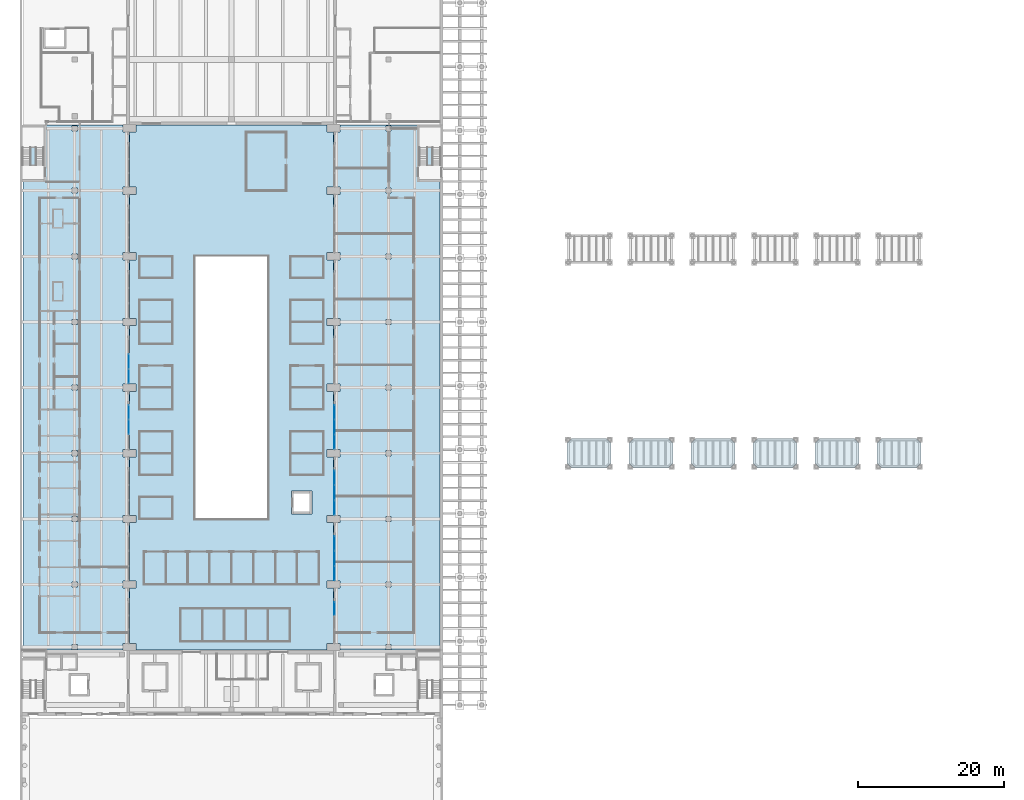
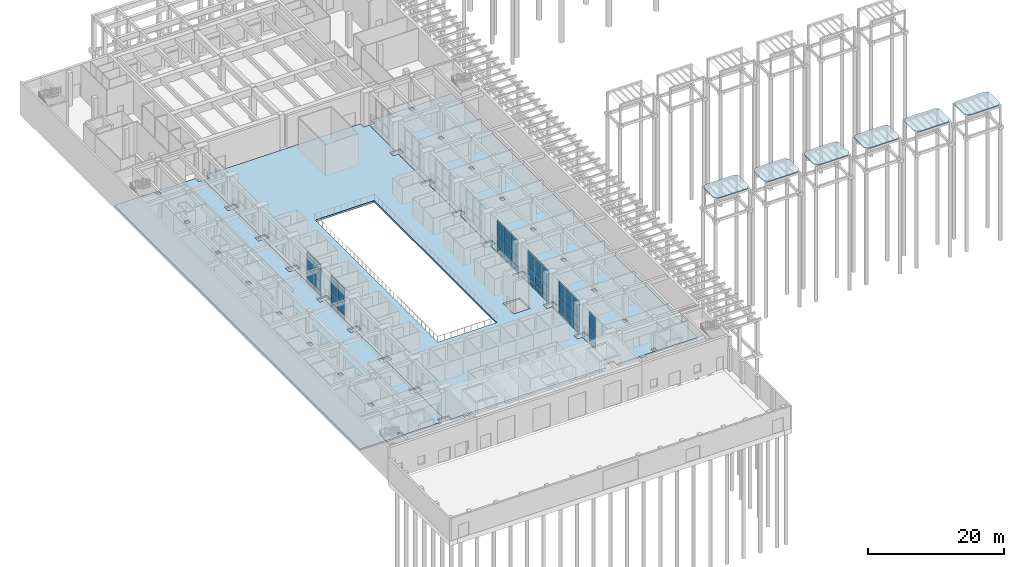
# One storey, part 25 of 51: 42 plates, 9 slabs, 6 elements without a shape of their own.
"""IFC4 building model written with IfcOpenShell, lengths in metres."""

from ifc_helpers import new_model, si_unit, direction, frame, origin, origin_2d, place, context, subcontext, project, spatial, polyline, rectangle, outline, extrude, material, layer, layer_set, type_object, element, aggregate, save


model = new_model("IFC4")

# Units and contexts
model_context = context("Model", 3, precision=1e-05, world=origin(), true_north=direction((0.0, 1.0)))
body_context = subcontext(model_context, "Body", "Model", "MODEL_VIEW")
ifc_project = project(units=[si_unit("LENGTHUNIT", "METRE"), si_unit("AREAUNIT", "SQUARE_METRE"), si_unit("VOLUMEUNIT", "CUBIC_METRE"), si_unit("PLANEANGLEUNIT", "RADIAN"), si_unit("MASSUNIT", "GRAM", prefix="KILO")], contexts=[model_context])

# Site, building, storey
site_placement = place(None, origin())
site = spatial("IfcSite", under=ifc_project, at=site_placement, CompositionType="ELEMENT")
building_placement = place(site_placement, origin())
building = spatial("IfcBuilding", under=site, at=building_placement, Name="Elmora Arch Market Hall", CompositionType="ELEMENT")
storey_placement = place(building_placement, origin())
storey = spatial("IfcBuildingStorey", under=building, at=storey_placement, Name="L00", CompositionType="ELEMENT", Elevation=0.0)

# Slabs
ifc_material_1 = material(Name="Concrete C32/40", Category="concrete")
ifc_layer_1 = layer(ifc_material_1, 0.14990234375)
ifc_layer_set_1 = layer_set([ifc_layer_1], Name="Concrete C32/40")
slab_type_1 = type_object("IfcSlabType", Name="Canopy slab 150", PredefinedType="ROOF", material=ifc_layer_set_1)
slab_1_placement = place(storey_placement, frame((0.0, 0.0, 3.35009765625)))
element("IfcSlab", 1, at=slab_1_placement, inside=storey, type_object=slab_type_1, Name="Stall canopy plate", PredefinedType="ROOF", context=body_context, shape_type="SweptSolid", body=[
    extrude(outline(polyline([(75.0, 52.60009765625), (75.0, 55.39990234375), (75.60009765625, 56.0), (80.39990234375, 56.0), (81.0, 55.39990234375), (81.0, 52.60009765625), (80.39990234375, 52.0), (75.60009765625, 52.0), (75.0, 52.60009765625)])), origin(), (0.0, 0.0, 1.0), 0.14990234375),
])
slab_2_placement = place(storey_placement, frame((0.0, 0.0, 3.35009765625)))
element("IfcSlab", 2, at=slab_2_placement, inside=storey, type_object=slab_type_1, Name="Stall canopy plate", PredefinedType="ROOF", context=body_context, shape_type="SweptSolid", body=[
    extrude(outline(polyline([(83.5, 52.60009765625), (83.5, 55.39990234375), (84.10009765625, 56.0), (88.89990234375, 56.0), (89.5, 55.39990234375), (89.5, 52.60009765625), (88.89990234375, 52.0), (84.10009765625, 52.0), (83.5, 52.60009765625)])), origin(), (0.0, 0.0, 1.0), 0.14990234375),
])
slab_3_placement = place(storey_placement, frame((0.0, 0.0, 3.35009765625)))
element("IfcSlab", 3, at=slab_3_placement, inside=storey, type_object=slab_type_1, Name="Stall canopy plate", PredefinedType="ROOF", context=body_context, shape_type="SweptSolid", body=[
    extrude(outline(polyline([(92.0, 52.60009765625), (92.0, 55.39990234375), (92.60009765625, 56.0), (97.39990234375, 56.0), (98.0, 55.39990234375), (98.0, 52.60009765625), (97.39990234375, 52.0), (92.60009765625, 52.0), (92.0, 52.60009765625)])), origin(), (0.0, 0.0, 1.0), 0.14990234375),
])
slab_4_placement = place(storey_placement, frame((0.0, 0.0, 3.35009765625)))
element("IfcSlab", 4, at=slab_4_placement, inside=storey, type_object=slab_type_1, Name="Stall canopy plate", PredefinedType="ROOF", context=body_context, shape_type="SweptSolid", body=[
    extrude(outline(polyline([(100.5, 52.60009765625), (100.5, 55.39990234375), (101.10009765625, 56.0), (105.89990234375, 56.0), (106.5, 55.39990234375), (106.5, 52.60009765625), (105.89990234375, 52.0), (101.10009765625, 52.0), (100.5, 52.60009765625)])), origin(), (0.0, 0.0, 1.0), 0.14990234375),
])
slab_5_placement = place(storey_placement, frame((0.0, 0.0, 3.35009765625)))
element("IfcSlab", 5, at=slab_5_placement, inside=storey, type_object=slab_type_1, Name="Stall canopy plate", PredefinedType="ROOF", context=body_context, shape_type="SweptSolid", body=[
    extrude(outline(polyline([(109.0, 52.60009765625), (109.0, 55.39990234375), (109.60009765625, 56.0), (114.39990234375, 56.0), (115.0, 55.39990234375), (115.0, 52.60009765625), (114.39990234375, 52.0), (109.60009765625, 52.0), (109.0, 52.60009765625)])), origin(), (0.0, 0.0, 1.0), 0.14990234375),
])
slab_6_placement = place(storey_placement, frame((0.0, 0.0, 3.35009765625)))
element("IfcSlab", 6, at=slab_6_placement, inside=storey, type_object=slab_type_1, Name="Stall canopy plate", PredefinedType="ROOF", context=body_context, shape_type="SweptSolid", body=[
    extrude(outline(polyline([(117.5, 52.60009765625), (117.5, 55.39990234375), (118.10009765625, 56.0), (122.89990234375, 56.0), (123.5, 55.39990234375), (123.5, 52.60009765625), (122.89990234375, 52.0), (118.10009765625, 52.0), (117.5, 52.60009765625)])), origin(), (0.0, 0.0, 1.0), 0.14990234375),
])
ifc_material_2 = material(Name="Concrete C32/40", Category="concrete")
ifc_layer_2 = layer(ifc_material_2, 0.300048828125)
ifc_layer_set_2 = layer_set([ifc_layer_2], Name="Concrete C32/40")
slab_type_2 = type_object("IfcSlabType", Name="Floor slab 300", PredefinedType="FLOOR", material=ifc_layer_set_2)
slab_7_placement = place(storey_placement, frame((0.0, 0.0, -0.300048828125)))
element("IfcSlab", 7, at=slab_7_placement, inside=storey, type_object=slab_type_2, Name="L00 floor slab WW", PredefinedType="FLOOR", context=body_context, shape_type="SweptSolid", body=[
    extrude(outline(polyline([(15.0, 27.950927734375), (14.09912109375, 27.950927734375), (14.09912109375, 27.0), (0.40087890625, 27.0), (0.40087890625, 99.0), (14.09912109375, 99.0), (14.09912109375, 98.049072265625), (15.0, 98.049072265625), (15.0, 90.5009765625), (14.09912109375, 90.5009765625), (14.09912109375, 89.4990234375), (15.0, 89.4990234375), (15.0, 81.5009765625), (14.09912109375, 81.5009765625), (14.09912109375, 80.4990234375), (15.0, 80.4990234375), (15.0, 72.5009765625), (14.09912109375, 72.5009765625), (14.09912109375, 71.4990234375), (15.0, 71.4990234375), (15.0, 63.5009765625), (14.09912109375, 63.5009765625), (14.09912109375, 62.4990234375), (15.0, 62.4990234375), (15.0, 54.5009765625), (14.09912109375, 54.5009765625), (14.09912109375, 53.4990234375), (15.0, 53.4990234375), (15.0, 45.5009765625), (14.09912109375, 45.5009765625), (14.09912109375, 44.4990234375), (15.0, 44.4990234375), (15.0, 36.5009765625), (14.09912109375, 36.5009765625), (14.09912109375, 35.4990234375), (15.0, 35.4990234375), (15.0, 27.950927734375)]), holes=[polyline([(7.85107421875, 36.35107421875), (7.14892578125, 36.35107421875), (7.14892578125, 35.64892578125), (7.85107421875, 35.64892578125), (7.85107421875, 36.35107421875)]), polyline([(7.85107421875, 27.801025390625), (7.14892578125, 27.801025390625), (7.14892578125, 27.09912109375), (7.85107421875, 27.09912109375), (7.85107421875, 27.801025390625)]), polyline([(7.14892578125, 98.90087890625), (7.14892578125, 98.198974609375), (7.85107421875, 98.198974609375), (7.85107421875, 98.90087890625), (7.14892578125, 98.90087890625)]), polyline([(7.85107421875, 90.35107421875), (7.14892578125, 90.35107421875), (7.14892578125, 89.64892578125), (7.85107421875, 89.64892578125), (7.85107421875, 90.35107421875)]), polyline([(7.85107421875, 81.35107421875), (7.14892578125, 81.35107421875), (7.14892578125, 80.64892578125), (7.85107421875, 80.64892578125), (7.85107421875, 81.35107421875)]), polyline([(7.85107421875, 72.35107421875), (7.14892578125, 72.35107421875), (7.14892578125, 71.64892578125), (7.85107421875, 71.64892578125), (7.85107421875, 72.35107421875)]), polyline([(7.85107421875, 63.35107421875), (7.14892578125, 63.35107421875), (7.14892578125, 62.64892578125), (7.85107421875, 62.64892578125), (7.85107421875, 63.35107421875)]), polyline([(7.85107421875, 54.35107421875), (7.14892578125, 54.35107421875), (7.14892578125, 53.64892578125), (7.85107421875, 53.64892578125), (7.85107421875, 54.35107421875)]), polyline([(7.85107421875, 45.35107421875), (7.14892578125, 45.35107421875), (7.14892578125, 44.64892578125), (7.85107421875, 44.64892578125), (7.85107421875, 45.35107421875)])]), origin(), (0.0, 0.0, 1.0), 0.300048828125),
])
slab_8_placement = place(storey_placement, frame((0.0, 0.0, -0.300048828125)))
element("IfcSlab", 8, at=slab_8_placement, inside=storey, type_object=slab_type_2, Name="L00 floor slab EW", PredefinedType="FLOOR", context=body_context, shape_type="SweptSolid", body=[
    extrude(outline(polyline([(57.59912109375, 99.0), (57.59912109375, 27.0), (43.90087890625, 27.0), (43.90087890625, 27.950927734375), (43.0, 27.950927734375), (43.0, 35.4990234375), (43.90087890625, 35.4990234375), (43.90087890625, 36.5009765625), (43.0, 36.5009765625), (43.0, 44.4990234375), (43.90087890625, 44.4990234375), (43.90087890625, 45.5009765625), (43.0, 45.5009765625), (43.0, 53.4990234375), (43.90087890625, 53.4990234375), (43.90087890625, 54.5009765625), (43.0, 54.5009765625), (43.0, 62.4990234375), (43.90087890625, 62.4990234375), (43.90087890625, 63.5009765625), (43.0, 63.5009765625), (43.0, 71.4990234375), (43.90087890625, 71.4990234375), (43.90087890625, 72.5009765625), (43.0, 72.5009765625), (43.0, 80.4990234375), (43.90087890625, 80.4990234375), (43.90087890625, 81.5009765625), (43.0, 81.5009765625), (43.0, 89.4990234375), (43.90087890625, 89.4990234375), (43.90087890625, 90.5009765625), (43.0, 90.5009765625), (43.0, 98.049072265625), (43.90087890625, 98.049072265625), (43.90087890625, 99.0), (57.59912109375, 99.0)]), holes=[polyline([(50.85107421875, 27.801025390625), (50.14892578125, 27.801025390625), (50.14892578125, 27.09912109375), (50.85107421875, 27.09912109375), (50.85107421875, 27.801025390625)]), polyline([(50.85107421875, 36.35107421875), (50.14892578125, 36.35107421875), (50.14892578125, 35.64892578125), (50.85107421875, 35.64892578125), (50.85107421875, 36.35107421875)]), polyline([(50.85107421875, 45.35107421875), (50.14892578125, 45.35107421875), (50.14892578125, 44.64892578125), (50.85107421875, 44.64892578125), (50.85107421875, 45.35107421875)]), polyline([(50.85107421875, 54.35107421875), (50.14892578125, 54.35107421875), (50.14892578125, 53.64892578125), (50.85107421875, 53.64892578125), (50.85107421875, 54.35107421875)]), polyline([(50.85107421875, 63.35107421875), (50.14892578125, 63.35107421875), (50.14892578125, 62.64892578125), (50.85107421875, 62.64892578125), (50.85107421875, 63.35107421875)]), polyline([(50.85107421875, 81.35107421875), (50.14892578125, 81.35107421875), (50.14892578125, 80.64892578125), (50.85107421875, 80.64892578125), (50.85107421875, 81.35107421875)]), polyline([(50.85107421875, 90.35107421875), (50.14892578125, 90.35107421875), (50.14892578125, 89.64892578125), (50.85107421875, 89.64892578125), (50.85107421875, 90.35107421875)]), polyline([(50.85107421875, 72.35107421875), (50.14892578125, 72.35107421875), (50.14892578125, 71.64892578125), (50.85107421875, 71.64892578125), (50.85107421875, 72.35107421875)]), polyline([(50.85107421875, 98.90087890625), (50.14892578125, 98.90087890625), (50.14892578125, 98.198974609375), (50.85107421875, 98.198974609375), (50.85107421875, 98.90087890625)])]), origin(), (0.0, 0.0, 1.0), 0.300048828125),
])
ifc_material_3 = material(Name="Concrete C32/40", Category="concrete")
ifc_layer_3 = layer(ifc_material_3, 0.35009765625)
ifc_layer_set_3 = layer_set([ifc_layer_3], Name="Concrete C32/40")
slab_type_3 = type_object("IfcSlabType", Name="Floor slab 350", PredefinedType="FLOOR", material=ifc_layer_set_3)
slab_9_placement = place(storey_placement, frame((0.0, 0.0, -0.35009765625)))
element("IfcSlab", 9, at=slab_9_placement, inside=storey, type_object=slab_type_3, Name="L00 floor slab HALL", PredefinedType="FLOOR", context=body_context, shape_type="SweptSolid", body=[
    extrude(outline(polyline([(43.0, 27.950927734375), (42.09912109375, 27.950927734375), (42.09912109375, 27.0), (15.90087890625, 27.0), (15.90087890625, 27.950927734375), (15.0, 27.950927734375), (15.0, 35.4990234375), (15.90087890625, 35.4990234375), (15.90087890625, 36.5009765625), (15.0, 36.5009765625), (15.0, 44.4990234375), (15.90087890625, 44.4990234375), (15.90087890625, 45.5009765625), (15.0, 45.5009765625), (15.0, 53.4990234375), (15.90087890625, 53.4990234375), (15.90087890625, 54.5009765625), (15.0, 54.5009765625), (15.0, 62.4990234375), (15.90087890625, 62.4990234375), (15.90087890625, 63.5009765625), (15.0, 63.5009765625), (15.0, 71.4990234375), (15.90087890625, 71.4990234375), (15.90087890625, 72.5009765625), (15.0, 72.5009765625), (15.0, 80.4990234375), (15.90087890625, 80.4990234375), (15.90087890625, 81.5009765625), (15.0, 81.5009765625), (15.0, 89.4990234375), (15.90087890625, 89.4990234375), (15.90087890625, 90.5009765625), (15.0, 90.5009765625), (15.0, 98.049072265625), (15.90087890625, 98.049072265625), (15.90087890625, 99.0), (42.09912109375, 99.0), (42.09912109375, 98.049072265625), (43.0, 98.049072265625), (43.0, 90.5009765625), (42.09912109375, 90.5009765625), (42.09912109375, 89.4990234375), (43.0, 89.4990234375), (43.0, 81.5009765625), (42.09912109375, 81.5009765625), (42.09912109375, 80.4990234375), (43.0, 80.4990234375), (43.0, 72.5009765625), (42.09912109375, 72.5009765625), (42.09912109375, 71.4990234375), (43.0, 71.4990234375), (43.0, 63.5009765625), (42.09912109375, 63.5009765625), (42.09912109375, 62.4990234375), (43.0, 62.4990234375), (43.0, 54.5009765625), (42.09912109375, 54.5009765625), (42.09912109375, 53.4990234375), (43.0, 53.4990234375), (43.0, 45.5009765625), (42.09912109375, 45.5009765625), (42.09912109375, 44.4990234375), (43.0, 44.4990234375), (43.0, 36.5009765625), (42.09912109375, 36.5009765625), (42.09912109375, 35.4990234375), (43.0, 35.4990234375), (43.0, 27.950927734375)]), holes=[polyline([(40.0009765625, 45.698974609375), (40.0009765625, 48.801025390625), (37.198974609375, 48.801025390625), (37.198974609375, 45.698974609375), (40.0009765625, 45.698974609375)]), polyline([(23.9990234375, 81.0009765625), (23.9990234375, 44.9990234375), (34.0009765625, 44.9990234375), (34.0009765625, 81.0009765625), (23.9990234375, 81.0009765625)])]), origin(), (0.0, 0.0, 1.0), 0.35009765625),
])

# Curtain wall, plates
ifc_material_4 = material(Name="Aluminium", Category="aluminium")
curtain_wall_type = type_object("IfcCurtainWallType", Name="Shopfront curtain wall", PredefinedType="NOTDEFINED", material=ifc_material_4)
curtain_wall_1_placement = place(storey_placement, origin())
curtain_wall_1 = element("IfcCurtainWall", 10, at=curtain_wall_1_placement, inside=storey, type_object=curtain_wall_type, Name="Shopfront W 4", PredefinedType="NOTDEFINED")
ifc_material_5 = material(Name="Glass", Category="glass")
ifc_layer_4 = layer(ifc_material_5, 0.035888671875)
ifc_layer_set_4 = layer_set([ifc_layer_4], Name="Glass")
plate_type = type_object("IfcPlateType", Name="Laminated glass panel 36", PredefinedType="CURTAIN_PANEL", material=ifc_layer_set_4)
plate_1_placement = place(storey_placement, frame((14.89990234375, 57.60009765625, 0.074951171875), z_axis=(0.0, 0.0, 1.0), x_axis=(0.0, 1.0, 0.0)))
plate_1 = element("IfcPlate", 11, at=plate_1_placement, type_object=plate_type, Name="CW3 panel 2.1", PredefinedType="CURTAIN_PANEL", context=body_context, shape_type="SweptSolid", body=[
    extrude(rectangle(XDim=1.966552734375, YDim=0.035888671875, at=origin_2d()), origin(), (0.0, 0.0, 1.0), 0.78759765625),
])
plate_2_placement = place(storey_placement, frame((14.89990234375, 57.60009765625, 0.9375), z_axis=(0.0, 0.0, 1.0), x_axis=(0.0, 1.0, 0.0)))
plate_2 = element("IfcPlate", 12, at=plate_2_placement, type_object=plate_type, Name="CW3 panel 2.2", PredefinedType="CURTAIN_PANEL", context=body_context, shape_type="SweptSolid", body=[
    extrude(rectangle(XDim=1.966552734375, YDim=0.035888671875, at=origin_2d()), origin(), (0.0, 0.0, 1.0), 1.72509765625),
])
plate_3_placement = place(storey_placement, frame((14.89990234375, 57.60009765625, 2.7373046875), z_axis=(0.0, 0.0, 1.0), x_axis=(0.0, 1.0, 0.0)))
plate_3 = element("IfcPlate", 13, at=plate_3_placement, type_object=plate_type, Name="CW3 panel 2.3", PredefinedType="CURTAIN_PANEL", context=body_context, shape_type="SweptSolid", body=[
    extrude(rectangle(XDim=1.966552734375, YDim=0.035888671875, at=origin_2d()), origin(), (0.0, 0.0, 1.0), 2.987548828125),
])
plate_4_placement = place(storey_placement, frame((14.89990234375, 59.6416015625, 0.074951171875), z_axis=(0.0, 0.0, 1.0), x_axis=(0.0, 1.0, 0.0)))
plate_4 = element("IfcPlate", 14, at=plate_4_placement, type_object=plate_type, Name="CW3 panel 3.1", PredefinedType="CURTAIN_PANEL", context=body_context, shape_type="SweptSolid", body=[
    extrude(rectangle(XDim=1.916748046875, YDim=0.035888671875, at=origin_2d()), origin(), (0.0, 0.0, 1.0), 0.78759765625),
])
plate_5_placement = place(storey_placement, frame((14.89990234375, 59.6416015625, 0.9375), z_axis=(0.0, 0.0, 1.0), x_axis=(0.0, 1.0, 0.0)))
plate_5 = element("IfcPlate", 15, at=plate_5_placement, type_object=plate_type, Name="CW3 panel 3.2", PredefinedType="CURTAIN_PANEL", context=body_context, shape_type="SweptSolid", body=[
    extrude(rectangle(XDim=1.916748046875, YDim=0.035888671875, at=origin_2d()), origin(), (0.0, 0.0, 1.0), 1.72509765625),
])
plate_6_placement = place(storey_placement, frame((14.89990234375, 59.6416015625, 2.7373046875), z_axis=(0.0, 0.0, 1.0), x_axis=(0.0, 1.0, 0.0)))
plate_6 = element("IfcPlate", 16, at=plate_6_placement, type_object=plate_type, Name="CW3 panel 3.3", PredefinedType="CURTAIN_PANEL", context=body_context, shape_type="SweptSolid", body=[
    extrude(rectangle(XDim=1.916748046875, YDim=0.035888671875, at=origin_2d()), origin(), (0.0, 0.0, 1.0), 2.987548828125),
])
aggregate(curtain_wall_1, [plate_1, plate_2, plate_3, plate_4, plate_5, plate_6])

curtain_wall_2_placement = place(storey_placement, origin())
curtain_wall_2 = element("IfcCurtainWall", 17, at=curtain_wall_2_placement, inside=storey, type_object=curtain_wall_type, Name="Shopfront W 5", PredefinedType="NOTDEFINED")
plate_7_placement = place(storey_placement, frame((14.89990234375, 64.558349609375, 0.074951171875), z_axis=(0.0, 0.0, 1.0), x_axis=(0.0, 1.0, 0.0)))
plate_7 = element("IfcPlate", 18, at=plate_7_placement, type_object=plate_type, Name="CW3 panel 1.1", PredefinedType="CURTAIN_PANEL", context=body_context, shape_type="SweptSolid", body=[
    extrude(rectangle(XDim=1.916748046875, YDim=0.035888671875, at=origin_2d()), origin(), (0.0, 0.0, 1.0), 0.78759765625),
])
plate_8_placement = place(storey_placement, frame((14.89990234375, 64.558349609375, 0.9375), z_axis=(0.0, 0.0, 1.0), x_axis=(0.0, 1.0, 0.0)))
plate_8 = element("IfcPlate", 19, at=plate_8_placement, type_object=plate_type, Name="CW3 panel 1.2", PredefinedType="CURTAIN_PANEL", context=body_context, shape_type="SweptSolid", body=[
    extrude(rectangle(XDim=1.916748046875, YDim=0.035888671875, at=origin_2d()), origin(), (0.0, 0.0, 1.0), 1.72509765625),
])
plate_9_placement = place(storey_placement, frame((14.89990234375, 64.558349609375, 2.7373046875), z_axis=(0.0, 0.0, 1.0), x_axis=(0.0, 1.0, 0.0)))
plate_9 = element("IfcPlate", 20, at=plate_9_placement, type_object=plate_type, Name="CW3 panel 1.3", PredefinedType="CURTAIN_PANEL", context=body_context, shape_type="SweptSolid", body=[
    extrude(rectangle(XDim=1.916748046875, YDim=0.035888671875, at=origin_2d()), origin(), (0.0, 0.0, 1.0), 2.987548828125),
])
plate_10_placement = place(storey_placement, frame((14.89990234375, 66.60009765625, 0.074951171875), z_axis=(0.0, 0.0, 1.0), x_axis=(0.0, 1.0, 0.0)))
plate_10 = element("IfcPlate", 21, at=plate_10_placement, type_object=plate_type, Name="CW3 panel 2.1", PredefinedType="CURTAIN_PANEL", context=body_context, shape_type="SweptSolid", body=[
    extrude(rectangle(XDim=1.966552734375, YDim=0.035888671875, at=origin_2d()), origin(), (0.0, 0.0, 1.0), 0.78759765625),
])
plate_11_placement = place(storey_placement, frame((14.89990234375, 66.60009765625, 0.9375), z_axis=(0.0, 0.0, 1.0), x_axis=(0.0, 1.0, 0.0)))
plate_11 = element("IfcPlate", 22, at=plate_11_placement, type_object=plate_type, Name="CW3 panel 2.2", PredefinedType="CURTAIN_PANEL", context=body_context, shape_type="SweptSolid", body=[
    extrude(rectangle(XDim=1.966552734375, YDim=0.035888671875, at=origin_2d()), origin(), (0.0, 0.0, 1.0), 1.72509765625),
])
plate_12_placement = place(storey_placement, frame((14.89990234375, 66.60009765625, 2.7373046875), z_axis=(0.0, 0.0, 1.0), x_axis=(0.0, 1.0, 0.0)))
plate_12 = element("IfcPlate", 23, at=plate_12_placement, type_object=plate_type, Name="CW3 panel 2.3", PredefinedType="CURTAIN_PANEL", context=body_context, shape_type="SweptSolid", body=[
    extrude(rectangle(XDim=1.966552734375, YDim=0.035888671875, at=origin_2d()), origin(), (0.0, 0.0, 1.0), 2.987548828125),
])
aggregate(curtain_wall_2, [plate_7, plate_8, plate_9, plate_10, plate_11, plate_12])

curtain_wall_3_placement = place(storey_placement, origin())
curtain_wall_3 = element("IfcCurtainWall", 24, at=curtain_wall_3_placement, inside=storey, type_object=curtain_wall_type, Name="Shopfront E 1", PredefinedType="NOTDEFINED")
plate_13_placement = place(storey_placement, frame((43.10009765625, 32.716552734375, 0.074951171875), z_axis=(0.0, 0.0, 1.0), x_axis=(0.0, 1.0, 0.0)))
plate_13 = element("IfcPlate", 25, at=plate_13_placement, type_object=plate_type, Name="CW3 panel 3.1", PredefinedType="CURTAIN_PANEL", context=body_context, shape_type="SweptSolid", body=[
    extrude(rectangle(XDim=1.7666015625, YDim=0.035888671875, at=origin_2d()), origin(), (0.0, 0.0, 1.0), 0.78759765625),
])
plate_14_placement = place(storey_placement, frame((43.10009765625, 32.716552734375, 0.9375), z_axis=(0.0, 0.0, 1.0), x_axis=(0.0, 1.0, 0.0)))
plate_14 = element("IfcPlate", 26, at=plate_14_placement, type_object=plate_type, Name="CW3 panel 3.2", PredefinedType="CURTAIN_PANEL", context=body_context, shape_type="SweptSolid", body=[
    extrude(rectangle(XDim=1.7666015625, YDim=0.035888671875, at=origin_2d()), origin(), (0.0, 0.0, 1.0), 1.72509765625),
])
plate_15_placement = place(storey_placement, frame((43.10009765625, 32.716552734375, 2.7373046875), z_axis=(0.0, 0.0, 1.0), x_axis=(0.0, 1.0, 0.0)))
plate_15 = element("IfcPlate", 27, at=plate_15_placement, type_object=plate_type, Name="CW3 panel 3.3", PredefinedType="CURTAIN_PANEL", context=body_context, shape_type="SweptSolid", body=[
    extrude(rectangle(XDim=1.7666015625, YDim=0.035888671875, at=origin_2d()), origin(), (0.0, 0.0, 1.0), 2.987548828125),
])
aggregate(curtain_wall_3, [plate_13, plate_14, plate_15])

curtain_wall_4_placement = place(storey_placement, origin())
curtain_wall_4 = element("IfcCurtainWall", 28, at=curtain_wall_4_placement, inside=storey, type_object=curtain_wall_type, Name="Shopfront E 2", PredefinedType="NOTDEFINED")
plate_16_placement = place(storey_placement, frame((43.10009765625, 37.558349609375, 0.074951171875), z_axis=(0.0, 0.0, 1.0), x_axis=(0.0, 1.0, 0.0)))
plate_16 = element("IfcPlate", 29, at=plate_16_placement, type_object=plate_type, Name="CW3 panel 1.1", PredefinedType="CURTAIN_PANEL", context=body_context, shape_type="SweptSolid", body=[
    extrude(rectangle(XDim=1.916748046875, YDim=0.035888671875, at=origin_2d()), origin(), (0.0, 0.0, 1.0), 0.78759765625),
])
plate_17_placement = place(storey_placement, frame((43.10009765625, 37.558349609375, 0.9375), z_axis=(0.0, 0.0, 1.0), x_axis=(0.0, 1.0, 0.0)))
plate_17 = element("IfcPlate", 30, at=plate_17_placement, type_object=plate_type, Name="CW3 panel 1.2", PredefinedType="CURTAIN_PANEL", context=body_context, shape_type="SweptSolid", body=[
    extrude(rectangle(XDim=1.916748046875, YDim=0.035888671875, at=origin_2d()), origin(), (0.0, 0.0, 1.0), 1.72509765625),
])
plate_18_placement = place(storey_placement, frame((43.10009765625, 37.558349609375, 2.7373046875), z_axis=(0.0, 0.0, 1.0), x_axis=(0.0, 1.0, 0.0)))
plate_18 = element("IfcPlate", 31, at=plate_18_placement, type_object=plate_type, Name="CW3 panel 1.3", PredefinedType="CURTAIN_PANEL", context=body_context, shape_type="SweptSolid", body=[
    extrude(rectangle(XDim=1.916748046875, YDim=0.035888671875, at=origin_2d()), origin(), (0.0, 0.0, 1.0), 2.987548828125),
])
plate_19_placement = place(storey_placement, frame((43.10009765625, 39.60009765625, 0.074951171875), z_axis=(0.0, 0.0, 1.0), x_axis=(0.0, 1.0, 0.0)))
plate_19 = element("IfcPlate", 32, at=plate_19_placement, type_object=plate_type, Name="CW3 panel 2.1", PredefinedType="CURTAIN_PANEL", context=body_context, shape_type="SweptSolid", body=[
    extrude(rectangle(XDim=1.966552734375, YDim=0.035888671875, at=origin_2d()), origin(), (0.0, 0.0, 1.0), 0.78759765625),
])
plate_20_placement = place(storey_placement, frame((43.10009765625, 39.60009765625, 0.9375), z_axis=(0.0, 0.0, 1.0), x_axis=(0.0, 1.0, 0.0)))
plate_20 = element("IfcPlate", 33, at=plate_20_placement, type_object=plate_type, Name="CW3 panel 2.2", PredefinedType="CURTAIN_PANEL", context=body_context, shape_type="SweptSolid", body=[
    extrude(rectangle(XDim=1.966552734375, YDim=0.035888671875, at=origin_2d()), origin(), (0.0, 0.0, 1.0), 1.72509765625),
])
plate_21_placement = place(storey_placement, frame((43.10009765625, 39.60009765625, 2.7373046875), z_axis=(0.0, 0.0, 1.0), x_axis=(0.0, 1.0, 0.0)))
plate_21 = element("IfcPlate", 34, at=plate_21_placement, type_object=plate_type, Name="CW3 panel 2.3", PredefinedType="CURTAIN_PANEL", context=body_context, shape_type="SweptSolid", body=[
    extrude(rectangle(XDim=1.966552734375, YDim=0.035888671875, at=origin_2d()), origin(), (0.0, 0.0, 1.0), 2.987548828125),
])
plate_22_placement = place(storey_placement, frame((43.10009765625, 41.6416015625, 0.074951171875), z_axis=(0.0, 0.0, 1.0), x_axis=(0.0, 1.0, 0.0)))
plate_22 = element("IfcPlate", 35, at=plate_22_placement, type_object=plate_type, Name="CW3 panel 3.1", PredefinedType="CURTAIN_PANEL", context=body_context, shape_type="SweptSolid", body=[
    extrude(rectangle(XDim=1.916748046875, YDim=0.035888671875, at=origin_2d()), origin(), (0.0, 0.0, 1.0), 0.78759765625),
])
plate_23_placement = place(storey_placement, frame((43.10009765625, 41.6416015625, 0.9375), z_axis=(0.0, 0.0, 1.0), x_axis=(0.0, 1.0, 0.0)))
plate_23 = element("IfcPlate", 36, at=plate_23_placement, type_object=plate_type, Name="CW3 panel 3.2", PredefinedType="CURTAIN_PANEL", context=body_context, shape_type="SweptSolid", body=[
    extrude(rectangle(XDim=1.916748046875, YDim=0.035888671875, at=origin_2d()), origin(), (0.0, 0.0, 1.0), 1.72509765625),
])
plate_24_placement = place(storey_placement, frame((43.10009765625, 41.6416015625, 2.7373046875), z_axis=(0.0, 0.0, 1.0), x_axis=(0.0, 1.0, 0.0)))
plate_24 = element("IfcPlate", 37, at=plate_24_placement, type_object=plate_type, Name="CW3 panel 3.3", PredefinedType="CURTAIN_PANEL", context=body_context, shape_type="SweptSolid", body=[
    extrude(rectangle(XDim=1.916748046875, YDim=0.035888671875, at=origin_2d()), origin(), (0.0, 0.0, 1.0), 2.987548828125),
])
aggregate(curtain_wall_4, [plate_16, plate_17, plate_18, plate_19, plate_20, plate_21, plate_22, plate_23, plate_24])

curtain_wall_5_placement = place(storey_placement, origin())
curtain_wall_5 = element("IfcCurtainWall", 38, at=curtain_wall_5_placement, inside=storey, type_object=curtain_wall_type, Name="Shopfront E 3", PredefinedType="NOTDEFINED")
plate_25_placement = place(storey_placement, frame((43.10009765625, 46.558349609375, 0.074951171875), z_axis=(0.0, 0.0, 1.0), x_axis=(0.0, 1.0, 0.0)))
plate_25 = element("IfcPlate", 39, at=plate_25_placement, type_object=plate_type, Name="CW3 panel 1.1", PredefinedType="CURTAIN_PANEL", context=body_context, shape_type="SweptSolid", body=[
    extrude(rectangle(XDim=1.916748046875, YDim=0.035888671875, at=origin_2d()), origin(), (0.0, 0.0, 1.0), 0.78759765625),
])
plate_26_placement = place(storey_placement, frame((43.10009765625, 46.558349609375, 0.9375), z_axis=(0.0, 0.0, 1.0), x_axis=(0.0, 1.0, 0.0)))
plate_26 = element("IfcPlate", 40, at=plate_26_placement, type_object=plate_type, Name="CW3 panel 1.2", PredefinedType="CURTAIN_PANEL", context=body_context, shape_type="SweptSolid", body=[
    extrude(rectangle(XDim=1.916748046875, YDim=0.035888671875, at=origin_2d()), origin(), (0.0, 0.0, 1.0), 1.72509765625),
])
plate_27_placement = place(storey_placement, frame((43.10009765625, 46.558349609375, 2.7373046875), z_axis=(0.0, 0.0, 1.0), x_axis=(0.0, 1.0, 0.0)))
plate_27 = element("IfcPlate", 41, at=plate_27_placement, type_object=plate_type, Name="CW3 panel 1.3", PredefinedType="CURTAIN_PANEL", context=body_context, shape_type="SweptSolid", body=[
    extrude(rectangle(XDim=1.916748046875, YDim=0.035888671875, at=origin_2d()), origin(), (0.0, 0.0, 1.0), 2.987548828125),
])
plate_28_placement = place(storey_placement, frame((43.10009765625, 48.60009765625, 0.074951171875), z_axis=(0.0, 0.0, 1.0), x_axis=(0.0, 1.0, 0.0)))
plate_28 = element("IfcPlate", 42, at=plate_28_placement, type_object=plate_type, Name="CW3 panel 2.1", PredefinedType="CURTAIN_PANEL", context=body_context, shape_type="SweptSolid", body=[
    extrude(rectangle(XDim=1.966552734375, YDim=0.035888671875, at=origin_2d()), origin(), (0.0, 0.0, 1.0), 0.78759765625),
])
plate_29_placement = place(storey_placement, frame((43.10009765625, 48.60009765625, 0.9375), z_axis=(0.0, 0.0, 1.0), x_axis=(0.0, 1.0, 0.0)))
plate_29 = element("IfcPlate", 43, at=plate_29_placement, type_object=plate_type, Name="CW3 panel 2.2", PredefinedType="CURTAIN_PANEL", context=body_context, shape_type="SweptSolid", body=[
    extrude(rectangle(XDim=1.966552734375, YDim=0.035888671875, at=origin_2d()), origin(), (0.0, 0.0, 1.0), 1.72509765625),
])
plate_30_placement = place(storey_placement, frame((43.10009765625, 48.60009765625, 2.7373046875), z_axis=(0.0, 0.0, 1.0), x_axis=(0.0, 1.0, 0.0)))
plate_30 = element("IfcPlate", 44, at=plate_30_placement, type_object=plate_type, Name="CW3 panel 2.3", PredefinedType="CURTAIN_PANEL", context=body_context, shape_type="SweptSolid", body=[
    extrude(rectangle(XDim=1.966552734375, YDim=0.035888671875, at=origin_2d()), origin(), (0.0, 0.0, 1.0), 2.987548828125),
])
plate_31_placement = place(storey_placement, frame((43.10009765625, 50.6416015625, 0.074951171875), z_axis=(0.0, 0.0, 1.0), x_axis=(0.0, 1.0, 0.0)))
plate_31 = element("IfcPlate", 45, at=plate_31_placement, type_object=plate_type, Name="CW3 panel 3.1", PredefinedType="CURTAIN_PANEL", context=body_context, shape_type="SweptSolid", body=[
    extrude(rectangle(XDim=1.916748046875, YDim=0.035888671875, at=origin_2d()), origin(), (0.0, 0.0, 1.0), 0.78759765625),
])
plate_32_placement = place(storey_placement, frame((43.10009765625, 50.6416015625, 0.9375), z_axis=(0.0, 0.0, 1.0), x_axis=(0.0, 1.0, 0.0)))
plate_32 = element("IfcPlate", 46, at=plate_32_placement, type_object=plate_type, Name="CW3 panel 3.2", PredefinedType="CURTAIN_PANEL", context=body_context, shape_type="SweptSolid", body=[
    extrude(rectangle(XDim=1.916748046875, YDim=0.035888671875, at=origin_2d()), origin(), (0.0, 0.0, 1.0), 1.72509765625),
])
plate_33_placement = place(storey_placement, frame((43.10009765625, 50.6416015625, 2.7373046875), z_axis=(0.0, 0.0, 1.0), x_axis=(0.0, 1.0, 0.0)))
plate_33 = element("IfcPlate", 47, at=plate_33_placement, type_object=plate_type, Name="CW3 panel 3.3", PredefinedType="CURTAIN_PANEL", context=body_context, shape_type="SweptSolid", body=[
    extrude(rectangle(XDim=1.916748046875, YDim=0.035888671875, at=origin_2d()), origin(), (0.0, 0.0, 1.0), 2.987548828125),
])
aggregate(curtain_wall_5, [plate_25, plate_26, plate_27, plate_28, plate_29, plate_30, plate_31, plate_32, plate_33])

curtain_wall_6_placement = place(storey_placement, origin())
curtain_wall_6 = element("IfcCurtainWall", 48, at=curtain_wall_6_placement, inside=storey, type_object=curtain_wall_type, Name="Shopfront E 4", PredefinedType="NOTDEFINED")
plate_34_placement = place(storey_placement, frame((43.10009765625, 55.558349609375, 0.074951171875), z_axis=(0.0, 0.0, 1.0), x_axis=(0.0, 1.0, 0.0)))
plate_34 = element("IfcPlate", 49, at=plate_34_placement, type_object=plate_type, Name="CW3 panel 1.1", PredefinedType="CURTAIN_PANEL", context=body_context, shape_type="SweptSolid", body=[
    extrude(rectangle(XDim=1.916748046875, YDim=0.035888671875, at=origin_2d()), origin(), (0.0, 0.0, 1.0), 0.78759765625),
])
plate_35_placement = place(storey_placement, frame((43.10009765625, 55.558349609375, 0.9375), z_axis=(0.0, 0.0, 1.0), x_axis=(0.0, 1.0, 0.0)))
plate_35 = element("IfcPlate", 50, at=plate_35_placement, type_object=plate_type, Name="CW3 panel 1.2", PredefinedType="CURTAIN_PANEL", context=body_context, shape_type="SweptSolid", body=[
    extrude(rectangle(XDim=1.916748046875, YDim=0.035888671875, at=origin_2d()), origin(), (0.0, 0.0, 1.0), 1.72509765625),
])
plate_36_placement = place(storey_placement, frame((43.10009765625, 55.558349609375, 2.7373046875), z_axis=(0.0, 0.0, 1.0), x_axis=(0.0, 1.0, 0.0)))
plate_36 = element("IfcPlate", 51, at=plate_36_placement, type_object=plate_type, Name="CW3 panel 1.3", PredefinedType="CURTAIN_PANEL", context=body_context, shape_type="SweptSolid", body=[
    extrude(rectangle(XDim=1.916748046875, YDim=0.035888671875, at=origin_2d()), origin(), (0.0, 0.0, 1.0), 2.987548828125),
])
plate_37_placement = place(storey_placement, frame((43.10009765625, 57.60009765625, 0.074951171875), z_axis=(0.0, 0.0, 1.0), x_axis=(0.0, 1.0, 0.0)))
plate_37 = element("IfcPlate", 52, at=plate_37_placement, type_object=plate_type, Name="CW3 panel 2.1", PredefinedType="CURTAIN_PANEL", context=body_context, shape_type="SweptSolid", body=[
    extrude(rectangle(XDim=1.966552734375, YDim=0.035888671875, at=origin_2d()), origin(), (0.0, 0.0, 1.0), 0.78759765625),
])
plate_38_placement = place(storey_placement, frame((43.10009765625, 57.60009765625, 0.9375), z_axis=(0.0, 0.0, 1.0), x_axis=(0.0, 1.0, 0.0)))
plate_38 = element("IfcPlate", 53, at=plate_38_placement, type_object=plate_type, Name="CW3 panel 2.2", PredefinedType="CURTAIN_PANEL", context=body_context, shape_type="SweptSolid", body=[
    extrude(rectangle(XDim=1.966552734375, YDim=0.035888671875, at=origin_2d()), origin(), (0.0, 0.0, 1.0), 1.72509765625),
])
plate_39_placement = place(storey_placement, frame((43.10009765625, 57.60009765625, 2.7373046875), z_axis=(0.0, 0.0, 1.0), x_axis=(0.0, 1.0, 0.0)))
plate_39 = element("IfcPlate", 54, at=plate_39_placement, type_object=plate_type, Name="CW3 panel 2.3", PredefinedType="CURTAIN_PANEL", context=body_context, shape_type="SweptSolid", body=[
    extrude(rectangle(XDim=1.966552734375, YDim=0.035888671875, at=origin_2d()), origin(), (0.0, 0.0, 1.0), 2.987548828125),
])
plate_40_placement = place(storey_placement, frame((43.10009765625, 59.6416015625, 0.074951171875), z_axis=(0.0, 0.0, 1.0), x_axis=(0.0, 1.0, 0.0)))
plate_40 = element("IfcPlate", 55, at=plate_40_placement, type_object=plate_type, Name="CW3 panel 3.1", PredefinedType="CURTAIN_PANEL", context=body_context, shape_type="SweptSolid", body=[
    extrude(rectangle(XDim=1.916748046875, YDim=0.035888671875, at=origin_2d()), origin(), (0.0, 0.0, 1.0), 0.78759765625),
])
plate_41_placement = place(storey_placement, frame((43.10009765625, 59.6416015625, 0.9375), z_axis=(0.0, 0.0, 1.0), x_axis=(0.0, 1.0, 0.0)))
plate_41 = element("IfcPlate", 56, at=plate_41_placement, type_object=plate_type, Name="CW3 panel 3.2", PredefinedType="CURTAIN_PANEL", context=body_context, shape_type="SweptSolid", body=[
    extrude(rectangle(XDim=1.916748046875, YDim=0.035888671875, at=origin_2d()), origin(), (0.0, 0.0, 1.0), 1.72509765625),
])
plate_42_placement = place(storey_placement, frame((43.10009765625, 59.6416015625, 2.7373046875), z_axis=(0.0, 0.0, 1.0), x_axis=(0.0, 1.0, 0.0)))
plate_42 = element("IfcPlate", 57, at=plate_42_placement, type_object=plate_type, Name="CW3 panel 3.3", PredefinedType="CURTAIN_PANEL", context=body_context, shape_type="SweptSolid", body=[
    extrude(rectangle(XDim=1.916748046875, YDim=0.035888671875, at=origin_2d()), origin(), (0.0, 0.0, 1.0), 2.987548828125),
])
aggregate(curtain_wall_6, [plate_34, plate_35, plate_36, plate_37, plate_38, plate_39, plate_40, plate_41, plate_42])

save(model, "model.ifc")
